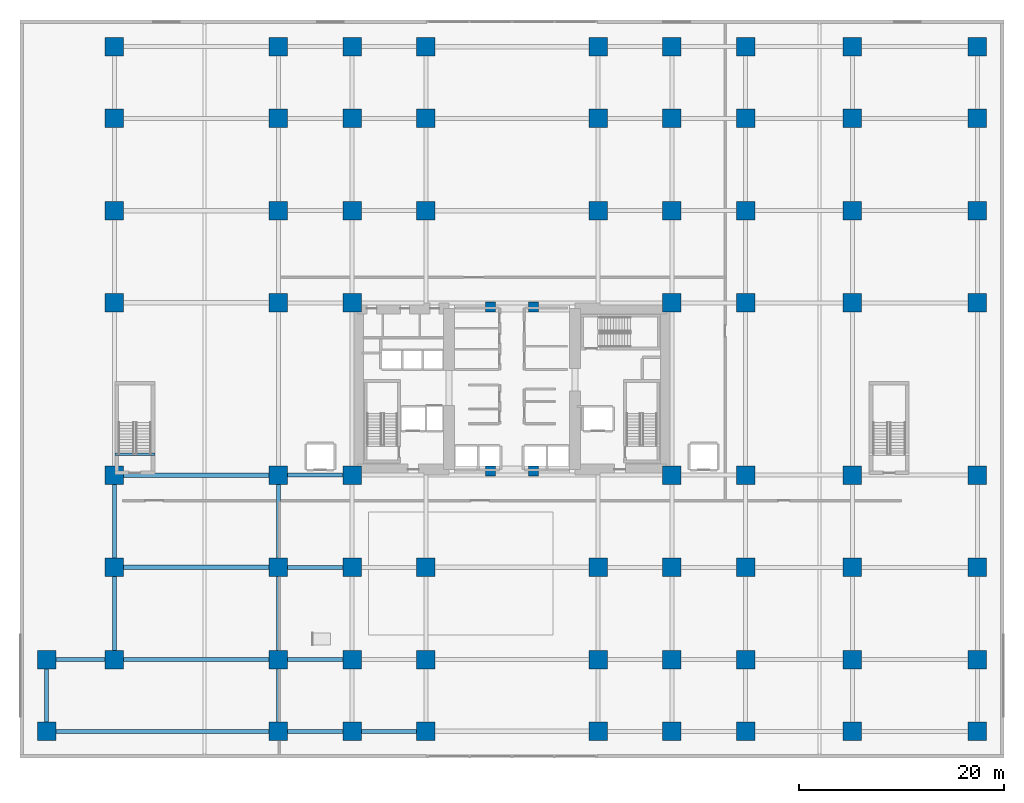
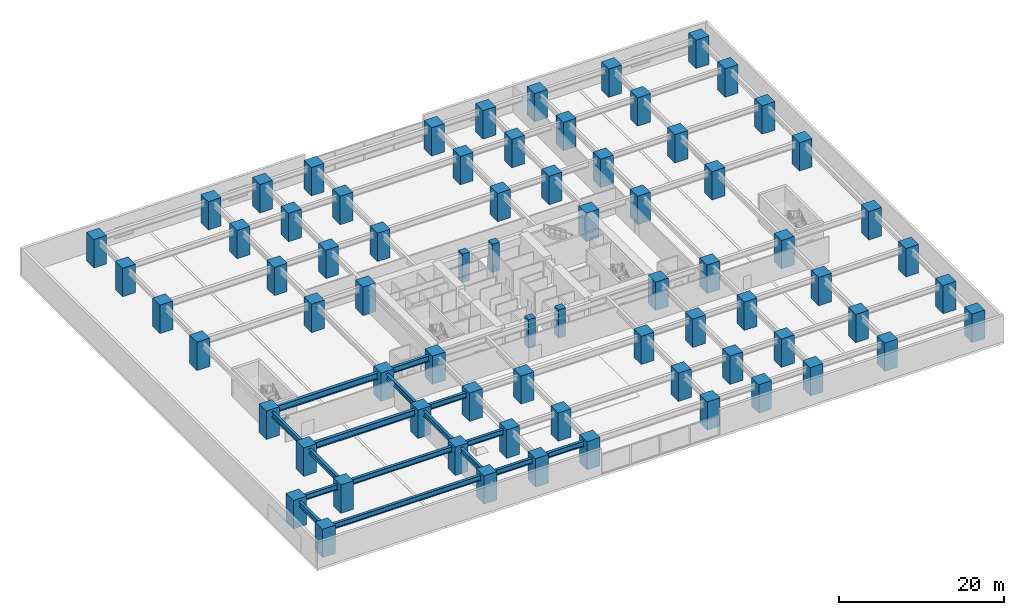
# One storey, part 1 of 22: 73 columns, 16 beams.
"""IFC4 building model written with IfcOpenShell, lengths in metres."""

from ifc_helpers import new_model, si_unit, direction, frame, origin, origin_2d, place, context, subcontext, project, spatial, rectangle, i_section, extrude, material, material_profile, profile_set, type_object, element, save


model = new_model("IFC4")

# Units and contexts
model_context = context("Model", 3, precision=1e-05, world=origin(), true_north=direction((0.0, 1.0)))
body_context = subcontext(model_context, "Body", "Model", "MODEL_VIEW")
ifc_project = project(units=[si_unit("LENGTHUNIT", "METRE"), si_unit("AREAUNIT", "SQUARE_METRE"), si_unit("VOLUMEUNIT", "CUBIC_METRE"), si_unit("PLANEANGLEUNIT", "RADIAN"), si_unit("MASSUNIT", "GRAM", prefix="KILO")], contexts=[model_context])

# Site, building, storey
site_placement = place(None, origin())
site = spatial("IfcSite", under=ifc_project, at=site_placement, CompositionType="ELEMENT")
building_placement = place(site_placement, origin())
building = spatial("IfcBuilding", under=site, at=building_placement, Name="Kiyonajd Concourse Tower", CompositionType="ELEMENT")
storey_placement = place(building_placement, frame((0.0, 0.0, 12.89990234375)))
storey = spatial("IfcBuildingStorey", under=building, at=storey_placement, Name="L04", CompositionType="ELEMENT", Elevation=12.89990234375)

# Columns
ifc_material_1 = material(Name="Concrete C80/95", Category="concrete")
ifc_material_profile_1 = material_profile(ifc_material_1, rectangle(XDim=1.800048828125, YDim=1.800048828125, at=origin_2d()), Name="RC-1800x1800")
ifc_profile_set_1 = profile_set([ifc_material_profile_1], Name="Concrete C80/95")
column_type_1 = type_object("IfcColumnType", Name="CL-MEGA-1800", PredefinedType="COLUMN", material=ifc_profile_set_1)
for number, where, z_axis, x_axis, name in (
    (1, (2.60009765625, 2.60009765625, 0.0), (0.0, 0.0, 1.0), (1.0, 0.0, 0.0), "L04 Podium Mega Column"),
    (2, (2.60009765625, 9.60009765625, 0.0), (0.0, 0.0, 1.0), (1.0, 0.0, 0.0), "L04 Podium Mega Column"),
    (3, (9.199951171875, 9.60009765625, 0.0), (0.0, 0.0, 1.0), (1.0, 0.0, 0.0), "L04 Podium Mega Column"),
    (4, (9.199951171875, 18.60009765625, 0.0), (0.0, 0.0, 1.0), (1.0, 0.0, 0.0), "L04 Podium Mega Column"),
    (5, (9.199951171875, 27.60009765625, 0.0), (0.0, 0.0, 1.0), (1.0, 0.0, 0.0), "L04 Podium Mega Column"),
    (6, (9.199951171875, 44.39990234375, 0.0), (0.0, 0.0, 1.0), (1.0, 0.0, 0.0), "L04 Podium Mega Column"),
    (7, (9.199951171875, 53.39990234375, 0.0), (0.0, 0.0, 1.0), (1.0, 0.0, 0.0), "L04 Podium Mega Column"),
    (8, (9.199951171875, 62.39990234375, 0.0), (0.0, 0.0, 1.0), (1.0, 0.0, 0.0), "L04 Podium Mega Column"),
    (9, (9.199951171875, 69.39990234375, 0.0), (0.0, 0.0, 1.0), (1.0, 0.0, 0.0), "L04 Podium Mega Column"),
    (10, (25.199951171875, 2.60009765625, 0.0), (0.0, 0.0, 1.0), (1.0, 0.0, 0.0), "L04 Podium Mega Column"),
    (11, (25.199951171875, 9.60009765625, 0.0), (0.0, 0.0, 1.0), (1.0, 0.0, 0.0), "L04 Podium Mega Column"),
    (12, (25.199951171875, 18.60009765625, 0.0), (0.0, 0.0, 1.0), (1.0, 0.0, 0.0), "L04 Podium Mega Column"),
    (13, (25.199951171875, 27.60009765625, 0.0), (0.0, 0.0, 1.0), (1.0, 0.0, 0.0), "L04 Podium Mega Column"),
    (14, (25.199951171875, 44.39990234375, 0.0), (0.0, 0.0, 1.0), (1.0, 0.0, 0.0), "L04 Podium Mega Column"),
    (15, (25.199951171875, 53.39990234375, 0.0), (0.0, 0.0, 1.0), (1.0, 0.0, 0.0), "L04 Podium Mega Column"),
    (16, (25.199951171875, 62.39990234375, 0.0), (0.0, 0.0, 1.0), (1.0, 0.0, 0.0), "L04 Podium Mega Column"),
    (17, (25.199951171875, 69.39990234375, 0.0), (0.0, 0.0, 1.0), (1.0, 0.0, 0.0), "L04 Podium Mega Column"),
    (18, (32.39990234375, 2.60009765625, 0.0), (0.0, 0.0, 1.0), (1.0, 0.0, 0.0), "L04 Podium Mega Column"),
    (19, (32.39990234375, 9.60009765625, 0.0), (0.0, 0.0, 1.0), (1.0, 0.0, 0.0), "L04 Podium Mega Column"),
    (20, (32.39990234375, 18.60009765625, 0.0), (0.0, 0.0, 1.0), (1.0, 0.0, 0.0), "L04 Podium Mega Column"),
    (21, (32.39990234375, 27.60009765625, 0.0), (0.0, 0.0, 1.0), (1.0, 0.0, 0.0), "L04 Podium Mega Column"),
    (22, (32.39990234375, 44.39990234375, 0.0), (0.0, 0.0, 1.0), (1.0, 0.0, 0.0), "L04 Podium Mega Column"),
    (23, (32.39990234375, 53.39990234375, 0.0), (0.0, 0.0, 1.0), (1.0, 0.0, 0.0), "L04 Podium Mega Column"),
    (24, (32.39990234375, 62.39990234375, 0.0), (0.0, 0.0, 1.0), (1.0, 0.0, 0.0), "L04 Podium Mega Column"),
    (25, (32.39990234375, 69.39990234375, 0.0), (0.0, 0.0, 1.0), (1.0, 0.0, 0.0), "L04 Podium Mega Column"),
    (26, (39.60009765625, 2.60009765625, 0.0), (0.0, 0.0, 1.0), (1.0, 0.0, 0.0), "L04 Podium Mega Column"),
    (27, (39.60009765625, 9.60009765625, 0.0), (0.0, 0.0, 1.0), (1.0, 0.0, 0.0), "L04 Podium Mega Column"),
    (28, (39.60009765625, 18.60009765625, 0.0), (0.0, 0.0, 1.0), (1.0, 0.0, 0.0), "L04 Podium Mega Column"),
    (29, (39.60009765625, 53.39990234375, 0.0), (0.0, 0.0, 1.0), (1.0, 0.0, 0.0), "L04 Podium Mega Column"),
    (30, (39.60009765625, 62.39990234375, 0.0), (0.0, 0.0, 1.0), (1.0, 0.0, 0.0), "L04 Podium Mega Column"),
    (31, (39.60009765625, 69.39990234375, 0.0), (0.0, 0.0, 1.0), (1.0, 0.0, 0.0), "L04 Podium Mega Column"),
    (32, (56.39990234375, 2.60009765625, 0.0), (0.0, 0.0, 1.0), (1.0, 0.0, 0.0), "L04 Podium Mega Column"),
    (33, (56.39990234375, 9.60009765625, 0.0), (0.0, 0.0, 1.0), (1.0, 0.0, 0.0), "L04 Podium Mega Column"),
    (34, (56.39990234375, 18.60009765625, 0.0), (0.0, 0.0, 1.0), (1.0, 0.0, 0.0), "L04 Podium Mega Column"),
    (35, (56.39990234375, 53.39990234375, 0.0), (0.0, 0.0, 1.0), (1.0, 0.0, 0.0), "L04 Podium Mega Column"),
    (36, (56.39990234375, 62.39990234375, 0.0), (0.0, 0.0, 1.0), (1.0, 0.0, 0.0), "L04 Podium Mega Column"),
    (37, (56.39990234375, 69.39990234375, 0.0), (0.0, 0.0, 1.0), (1.0, 0.0, 0.0), "L04 Podium Mega Column"),
    (38, (63.60009765625, 2.60009765625, 0.0), (0.0, 0.0, 1.0), (1.0, 0.0, 0.0), "L04 Podium Mega Column"),
    (39, (63.60009765625, 9.60009765625, 0.0), (0.0, 0.0, 1.0), (1.0, 0.0, 0.0), "L04 Podium Mega Column"),
    (40, (63.60009765625, 18.60009765625, 0.0), (0.0, 0.0, 1.0), (1.0, 0.0, 0.0), "L04 Podium Mega Column"),
    (41, (63.60009765625, 27.60009765625, 0.0), (0.0, 0.0, 1.0), (1.0, 0.0, 0.0), "L04 Podium Mega Column"),
    (42, (63.60009765625, 44.39990234375, 0.0), (0.0, 0.0, 1.0), (1.0, 0.0, 0.0), "L04 Podium Mega Column"),
    (43, (63.60009765625, 53.39990234375, 0.0), (0.0, 0.0, 1.0), (1.0, 0.0, 0.0), "L04 Podium Mega Column"),
    (44, (63.60009765625, 62.39990234375, 0.0), (0.0, 0.0, 1.0), (1.0, 0.0, 0.0), "L04 Podium Mega Column"),
    (45, (63.60009765625, 69.39990234375, 0.0), (0.0, 0.0, 1.0), (1.0, 0.0, 0.0), "L04 Podium Mega Column"),
    (46, (70.800048828125, 2.60009765625, 0.0), (0.0, 0.0, 1.0), (1.0, 0.0, 0.0), "L04 Podium Mega Column"),
    (47, (70.800048828125, 9.60009765625, 0.0), (0.0, 0.0, 1.0), (1.0, 0.0, 0.0), "L04 Podium Mega Column"),
    (48, (70.800048828125, 18.60009765625, 0.0), (0.0, 0.0, 1.0), (1.0, 0.0, 0.0), "L04 Podium Mega Column"),
    (49, (70.800048828125, 27.60009765625, 0.0), (0.0, 0.0, 1.0), (1.0, 0.0, 0.0), "L04 Podium Mega Column"),
    (50, (70.800048828125, 44.39990234375, 0.0), (0.0, 0.0, 1.0), (1.0, 0.0, 0.0), "L04 Podium Mega Column"),
    (51, (70.800048828125, 53.39990234375, 0.0), (0.0, 0.0, 1.0), (1.0, 0.0, 0.0), "L04 Podium Mega Column"),
    (52, (70.800048828125, 62.39990234375, 0.0), (0.0, 0.0, 1.0), (1.0, 0.0, 0.0), "L04 Podium Mega Column"),
    (53, (70.800048828125, 69.39990234375, 0.0), (0.0, 0.0, 1.0), (1.0, 0.0, 0.0), "L04 Podium Mega Column"),
    (54, (81.199951171875, 2.60009765625, 0.0), (0.0, 0.0, 1.0), (1.0, 0.0, 0.0), "L04 Podium Mega Column"),
    (55, (81.199951171875, 9.60009765625, 0.0), (0.0, 0.0, 1.0), (1.0, 0.0, 0.0), "L04 Podium Mega Column"),
    (56, (81.199951171875, 18.60009765625, 0.0), (0.0, 0.0, 1.0), (1.0, 0.0, 0.0), "L04 Podium Mega Column"),
    (57, (81.199951171875, 27.60009765625, 0.0), (0.0, 0.0, 1.0), (1.0, 0.0, 0.0), "L04 Podium Mega Column"),
    (58, (81.199951171875, 44.39990234375, 0.0), (0.0, 0.0, 1.0), (1.0, 0.0, 0.0), "L04 Podium Mega Column"),
    (59, (81.199951171875, 53.39990234375, 0.0), (0.0, 0.0, 1.0), (1.0, 0.0, 0.0), "L04 Podium Mega Column"),
    (60, (81.199951171875, 62.39990234375, 0.0), (0.0, 0.0, 1.0), (1.0, 0.0, 0.0), "L04 Podium Mega Column"),
    (61, (81.199951171875, 69.39990234375, 0.0), (0.0, 0.0, 1.0), (1.0, 0.0, 0.0), "L04 Podium Mega Column"),
    (62, (93.39990234375, 2.60009765625, 0.0), (0.0, 0.0, 1.0), (1.0, 0.0, 0.0), "L04 Podium Mega Column"),
    (63, (93.39990234375, 9.60009765625, 0.0), (0.0, 0.0, 1.0), (1.0, 0.0, 0.0), "L04 Podium Mega Column"),
    (64, (93.39990234375, 18.60009765625, 0.0), (0.0, 0.0, 1.0), (1.0, 0.0, 0.0), "L04 Podium Mega Column"),
    (65, (93.39990234375, 27.60009765625, 0.0), (0.0, 0.0, 1.0), (1.0, 0.0, 0.0), "L04 Podium Mega Column"),
    (66, (93.39990234375, 44.39990234375, 0.0), (0.0, 0.0, 1.0), (1.0, 0.0, 0.0), "L04 Podium Mega Column"),
    (67, (93.39990234375, 53.39990234375, 0.0), (0.0, 0.0, 1.0), (1.0, 0.0, 0.0), "L04 Podium Mega Column"),
    (68, (93.39990234375, 62.39990234375, 0.0), (0.0, 0.0, 1.0), (1.0, 0.0, 0.0), "L04 Podium Mega Column"),
    (69, (93.39990234375, 69.39990234375, 0.0), (0.0, 0.0, 1.0), (1.0, 0.0, 0.0), "L04 Podium Mega Column"),
):
    element("IfcColumn", number, at=place(storey_placement, frame(where, z_axis=z_axis, x_axis=x_axis)), inside=storey, type_object=column_type_1, Name=name, PredefinedType="COLUMN", context=body_context, shape_type="SweptSolid", body=[
        extrude(rectangle(XDim=1.800048828125, YDim=1.800048828125, at=origin_2d()), origin(), (0.0, 0.0, 1.0), 4.2001953125),
    ])
ifc_material_2 = material(Name="Concrete C60/75", Category="concrete")
ifc_material_profile_2 = material_profile(ifc_material_2, rectangle(XDim=1.0, YDim=1.0, at=origin_2d()), Name="RC-1000x1000")
ifc_profile_set_2 = profile_set([ifc_material_profile_2], Name="Concrete C60/75")
column_type_2 = type_object("IfcColumnType", Name="CL-TUBE-1000", PredefinedType="COLUMN", material=ifc_profile_set_2)
for number, where, z_axis, x_axis, name in (
    (70, (45.89990234375, 28.0, 0.0), (0.0, 0.0, 1.0), (1.0, 0.0, 0.0), "L04 Core Tie Column South West"),
    (71, (50.10009765625, 28.0, 0.0), (0.0, 0.0, 1.0), (1.0, 0.0, 0.0), "L04 Core Tie Column South East"),
    (72, (45.89990234375, 44.0, 0.0), (0.0, 0.0, 1.0), (1.0, 0.0, 0.0), "L04 Core Tie Column North West"),
    (73, (50.10009765625, 44.0, 0.0), (0.0, 0.0, 1.0), (1.0, 0.0, 0.0), "L04 Core Tie Column North East"),
):
    element("IfcColumn", number, at=place(storey_placement, frame(where, z_axis=z_axis, x_axis=x_axis)), inside=storey, type_object=column_type_2, Name=name, PredefinedType="COLUMN", context=body_context, shape_type="SweptSolid", body=[
        extrude(rectangle(XDim=1.0, YDim=1.0, at=origin_2d()), origin(), (0.0, 0.0, 1.0), 4.2001953125),
    ])

# Beams
ifc_material_3 = material(Name="Steel ASTM A992 Grade 50", Category="steel")
ifc_material_profile_3 = material_profile(ifc_material_3, i_section(OverallWidth=0.423095703125, OverallDepth=0.93310546875, WebThickness=0.02392578125, FlangeThickness=0.042724609375, at=origin_2d()), Name="W920X446")
ifc_profile_set_3 = profile_set([ifc_material_profile_3], Name="Steel ASTM A992 Grade 50")
beam_type_1 = type_object("IfcBeamType", Name="BM-AUD-920A", PredefinedType="BEAM", material=ifc_profile_set_3)
for number, where, z_axis, x_axis, name in (
    (74, (9.199951171875, 18.60009765625, 3.37353515625), (1.0, 0.0, 0.0), (0.0, 1.0, 0.0), "L04 Auditorium Clear Span Girder"),
    (75, (9.199951171875, 27.60009765625, 3.37353515625), (1.0, 0.0, 0.0), (0.0, 1.0, 0.0), "L04 Auditorium Clear Span Girder"),
):
    element("IfcBeam", number, at=place(storey_placement, frame(where, z_axis=z_axis, x_axis=x_axis)), inside=storey, type_object=beam_type_1, Name=name, PredefinedType="BEAM", context=body_context, shape_type="SweptSolid", body=[
        extrude(i_section(OverallWidth=0.423095703125, OverallDepth=0.93310546875, WebThickness=0.02392578125, FlangeThickness=0.042724609375, at=origin_2d()), origin(), (0.0, 0.0, 1.0), 16.0),
    ])
ifc_material_4 = material(Name="Concrete C50/60", Category="concrete")
ifc_material_profile_4 = material_profile(ifc_material_4, rectangle(XDim=0.239990234375, YDim=0.320068359375, at=origin_2d()), Name="RCBM-240x320")
ifc_profile_set_4 = profile_set([ifc_material_profile_4], Name="Concrete C50/60")
beam_type_2 = type_object("IfcBeamType", Name="BM-LNT-250", PredefinedType="LINTEL", material=ifc_profile_set_4)
beam_1_placement = place(storey_placement, frame((9.25, 29.6298828125, -0.159912109375), z_axis=(1.0, 0.0, 0.0), x_axis=(0.0, 1.0, 0.0)))
element("IfcBeam", 76, at=beam_1_placement, inside=storey, type_object=beam_type_2, Name="L04 Stair ST4 Threshold Support Beam", PredefinedType="LINTEL", context=body_context, shape_type="SweptSolid", body=[
    extrude(rectangle(XDim=0.239990234375, YDim=0.320068359375, at=origin_2d()), origin(), (0.0, 0.0, 1.0), 3.89990234375),
])
ifc_material_profile_5 = material_profile(ifc_material_3, i_section(OverallWidth=0.381103515625, OverallDepth=0.77294921875, WebThickness=0.0166015625, FlangeThickness=0.027099609375, at=origin_2d()), Name="W760X257")
ifc_profile_set_5 = profile_set([ifc_material_profile_5], Name="Steel ASTM A992 Grade 50")
beam_type_3 = type_object("IfcBeamType", Name="BM-POD-760", PredefinedType="BEAM", material=ifc_profile_set_5)
beam_2_placement = place(storey_placement, frame((2.60009765625, 2.60009765625, 3.45361328125), z_axis=(1.0, 0.0, 0.0), x_axis=(0.0, 1.0, 0.0)))
element("IfcBeam", 77, at=beam_2_placement, inside=storey, type_object=beam_type_3, Name="L04 Podium Primary Beam", PredefinedType="BEAM", context=body_context, shape_type="SweptSolid", body=[
    extrude(i_section(OverallWidth=0.381103515625, OverallDepth=0.77294921875, WebThickness=0.0166015625, FlangeThickness=0.027099609375, at=origin_2d()), origin(), (0.0, 0.0, 1.0), 22.599853515625),
])
beam_3_placement = place(storey_placement, frame((25.199951171875, 2.60009765625, 3.45361328125), z_axis=(1.0, 0.0, 0.0), x_axis=(0.0, 1.0, 0.0)))
element("IfcBeam", 78, at=beam_3_placement, inside=storey, type_object=beam_type_3, Name="L04 Podium Primary Beam", PredefinedType="BEAM", context=body_context, shape_type="SweptSolid", body=[
    extrude(i_section(OverallWidth=0.381103515625, OverallDepth=0.77294921875, WebThickness=0.0166015625, FlangeThickness=0.027099609375, at=origin_2d()), origin(), (0.0, 0.0, 1.0), 7.199951171875),
])
beam_4_placement = place(storey_placement, frame((32.39990234375, 2.60009765625, 3.45361328125), z_axis=(1.0, 0.0, 0.0), x_axis=(0.0, 1.0, 0.0)))
element("IfcBeam", 79, at=beam_4_placement, inside=storey, type_object=beam_type_3, Name="L04 Podium Primary Beam", PredefinedType="BEAM", context=body_context, shape_type="SweptSolid", body=[
    extrude(i_section(OverallWidth=0.381103515625, OverallDepth=0.77294921875, WebThickness=0.0166015625, FlangeThickness=0.027099609375, at=origin_2d()), origin(), (0.0, 0.0, 1.0), 7.2001953125),
])
beam_5_placement = place(storey_placement, frame((2.60009765625, 9.60009765625, 3.45361328125), z_axis=(1.0, 0.0, 0.0), x_axis=(0.0, 1.0, 0.0)))
element("IfcBeam", 80, at=beam_5_placement, inside=storey, type_object=beam_type_3, Name="L04 Podium Primary Beam", PredefinedType="BEAM", context=body_context, shape_type="SweptSolid", body=[
    extrude(i_section(OverallWidth=0.381103515625, OverallDepth=0.77294921875, WebThickness=0.0166015625, FlangeThickness=0.027099609375, at=origin_2d()), origin(), (0.0, 0.0, 1.0), 22.599853515625),
])
for number, where, z_axis, x_axis, name in (
    (81, (25.199951171875, 9.60009765625, 3.45361328125), (1.0, 0.0, 0.0), (0.0, 1.0, 0.0), "L04 Podium Primary Beam"),
    (82, (25.199951171875, 18.60009765625, 3.45361328125), (1.0, 0.0, 0.0), (0.0, 1.0, 0.0), "L04 Podium Primary Beam"),
):
    element("IfcBeam", number, at=place(storey_placement, frame(where, z_axis=z_axis, x_axis=x_axis)), inside=storey, type_object=beam_type_3, Name=name, PredefinedType="BEAM", context=body_context, shape_type="SweptSolid", body=[
        extrude(i_section(OverallWidth=0.381103515625, OverallDepth=0.77294921875, WebThickness=0.0166015625, FlangeThickness=0.027099609375, at=origin_2d()), origin(), (0.0, 0.0, 1.0), 7.199951171875),
    ])
beam_6_placement = place(storey_placement, frame((2.60009765625, 2.60009765625, 3.45361328125), z_axis=(0.0, 1.0, 0.0), x_axis=(-1.0, 0.0, 0.0)))
element("IfcBeam", 83, at=beam_6_placement, inside=storey, type_object=beam_type_3, Name="L04 Podium North South Beam", PredefinedType="BEAM", context=body_context, shape_type="SweptSolid", body=[
    extrude(i_section(OverallWidth=0.381103515625, OverallDepth=0.77294921875, WebThickness=0.0166015625, FlangeThickness=0.027099609375, at=origin_2d()), origin(), (0.0, 0.0, 1.0), 7.0),
])
for number, where, z_axis, x_axis, name in (
    (84, (9.199951171875, 9.60009765625, 3.45361328125), (0.0, 1.0, 0.0), (-1.0, 0.0, 0.0), "L04 Podium North South Beam"),
    (85, (9.199951171875, 18.60009765625, 3.45361328125), (0.0, 1.0, 0.0), (-1.0, 0.0, 0.0), "L04 Podium North South Beam"),
):
    element("IfcBeam", number, at=place(storey_placement, frame(where, z_axis=z_axis, x_axis=x_axis)), inside=storey, type_object=beam_type_3, Name=name, PredefinedType="BEAM", context=body_context, shape_type="SweptSolid", body=[
        extrude(i_section(OverallWidth=0.381103515625, OverallDepth=0.77294921875, WebThickness=0.0166015625, FlangeThickness=0.027099609375, at=origin_2d()), origin(), (0.0, 0.0, 1.0), 9.0),
    ])
beam_7_placement = place(storey_placement, frame((25.199951171875, 2.60009765625, 3.45361328125), z_axis=(0.0, 1.0, 0.0), x_axis=(-1.0, 0.0, 0.0)))
element("IfcBeam", 86, at=beam_7_placement, inside=storey, type_object=beam_type_3, Name="L04 Podium North South Beam", PredefinedType="BEAM", context=body_context, shape_type="SweptSolid", body=[
    extrude(i_section(OverallWidth=0.381103515625, OverallDepth=0.77294921875, WebThickness=0.0166015625, FlangeThickness=0.027099609375, at=origin_2d()), origin(), (0.0, 0.0, 1.0), 7.0),
])
for number, where, z_axis, x_axis, name in (
    (87, (25.199951171875, 9.60009765625, 3.45361328125), (0.0, 1.0, 0.0), (-1.0, 0.0, 0.0), "L04 Podium North South Beam"),
    (88, (25.199951171875, 18.60009765625, 3.45361328125), (0.0, 1.0, 0.0), (-1.0, 0.0, 0.0), "L04 Podium North South Beam"),
):
    element("IfcBeam", number, at=place(storey_placement, frame(where, z_axis=z_axis, x_axis=x_axis)), inside=storey, type_object=beam_type_3, Name=name, PredefinedType="BEAM", context=body_context, shape_type="SweptSolid", body=[
        extrude(i_section(OverallWidth=0.381103515625, OverallDepth=0.77294921875, WebThickness=0.0166015625, FlangeThickness=0.027099609375, at=origin_2d()), origin(), (0.0, 0.0, 1.0), 9.0),
    ])
ifc_material_profile_6 = material_profile(ifc_material_3, i_section(OverallWidth=0.39990234375, OverallDepth=0.85498046875, WebThickness=0.018310546875, FlangeThickness=0.029296875, at=origin_2d()), Name="W840X299")
ifc_profile_set_6 = profile_set([ifc_material_profile_6], Name="Steel ASTM A992 Grade 50")
beam_type_4 = type_object("IfcBeamType", Name="BM-POD-840", PredefinedType="BEAM", material=ifc_profile_set_6)
beam_8_placement = place(storey_placement, frame((25.199951171875, 27.60009765625, 3.41259765625), z_axis=(1.0, 0.0, 0.0), x_axis=(0.0, 1.0, 0.0)))
element("IfcBeam", 89, at=beam_8_placement, inside=storey, type_object=beam_type_4, Name="L04 Podium Primary Beam", PredefinedType="BEAM", context=body_context, shape_type="SweptSolid", body=[
    extrude(i_section(OverallWidth=0.39990234375, OverallDepth=0.85498046875, WebThickness=0.018310546875, FlangeThickness=0.029296875, at=origin_2d()), origin(), (0.0, 0.0, 1.0), 7.199951171875),
])

save(model, "model.ifc")
